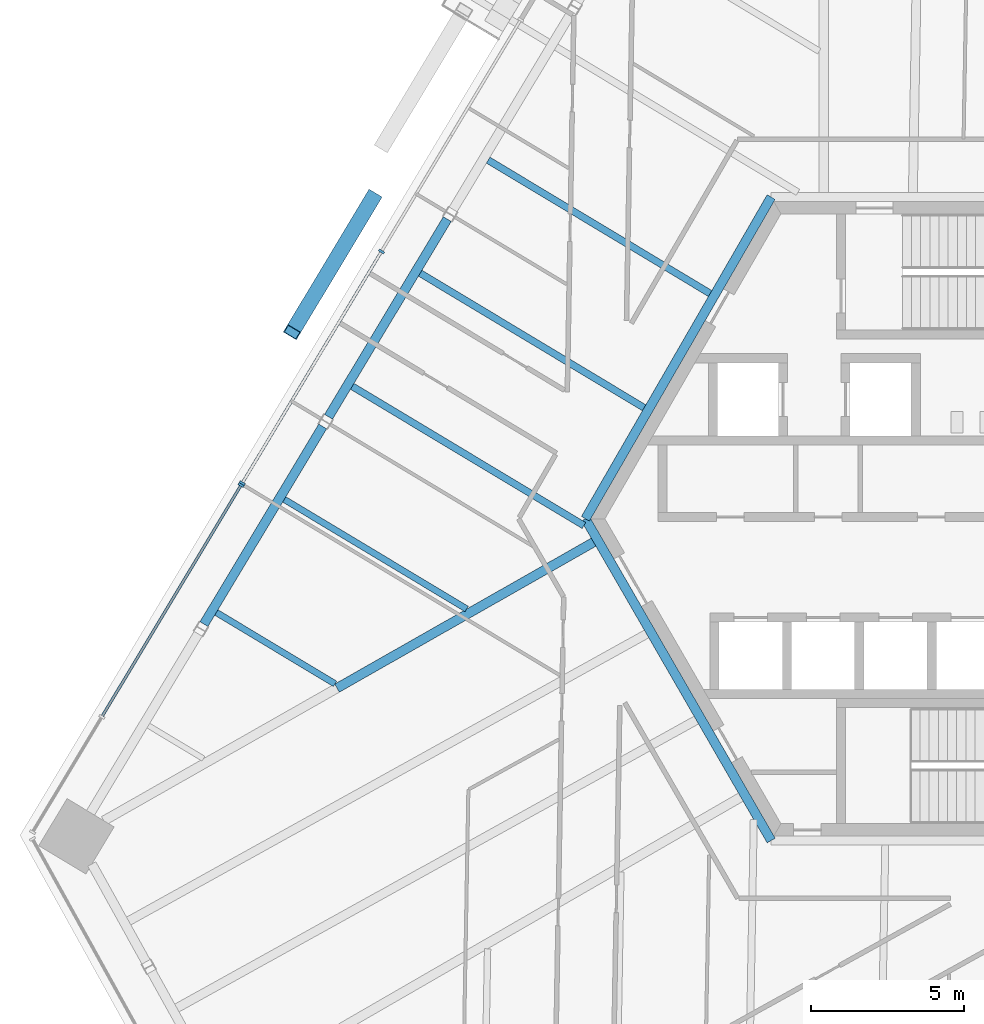
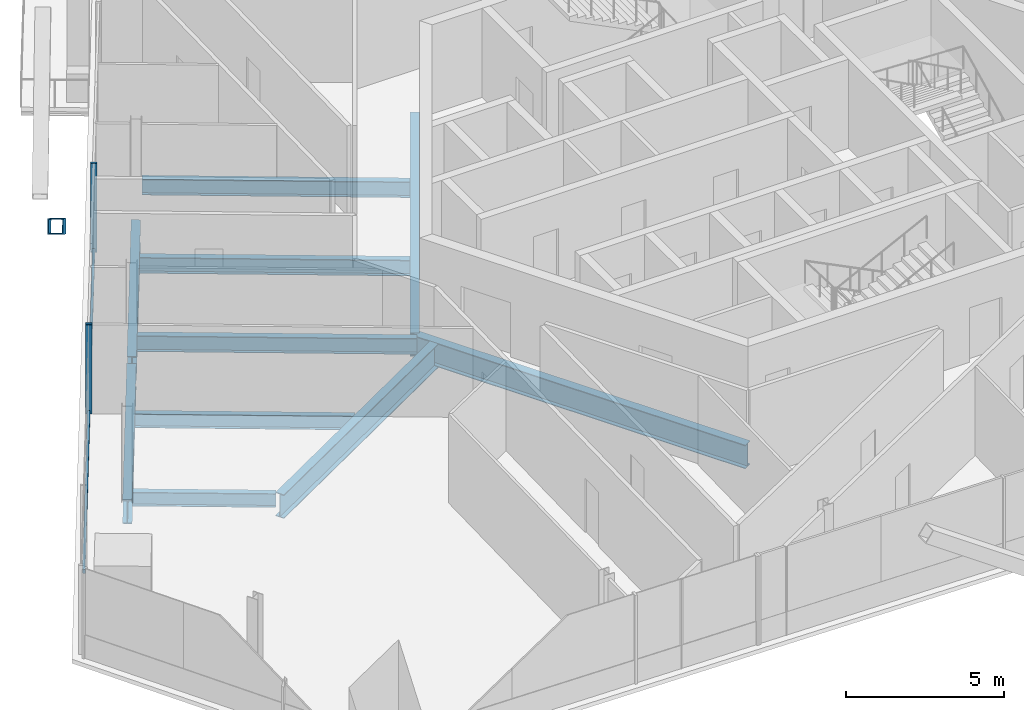
# One storey, part 5 of 18: 10 beams, 6 members, 2 elements without a shape of their own.
"""IFC4 building model written with IfcOpenShell, lengths in metres."""

import ifcopenshell
import ifcopenshell.guid

model = None  # the IFC model being written
_history = None  # IfcOwnerHistory: only IFC2X3 demands one
_inside = {}  # id of a spatial element -> (the spatial element, [elements in it])
_under = {}  # id of a project, library or spatial element -> (it, [spatial elements below it])
_declared = {}  # id of a project -> (the project, [libraries it declares])
_typed = {}  # id of a type object -> (the type object, [elements of that type])
_made_of = {}  # id of a material, layer set ... -> (it, [elements and type objects made of it])


def new_model(schema):
    """Start an empty IFC model of exactly this schema.

    Asked for "IFC4X3", IfcOpenShell would pick the latest addendum, in which some entities
    have other attributes; the version numbers below select the first issue.
    IFC2X3 requires an IfcOwnerHistory on every rooted entity: one is made here for all.
    """
    global model, _history
    if schema == "IFC4X3":
        model = ifcopenshell.file(schema_version=(4, 3, 0, 0))
    else:
        model = ifcopenshell.file(schema=schema)
    _inside.clear()
    _under.clear()
    _declared.clear()
    _typed.clear()
    _made_of.clear()
    _history = None
    if model.schema == "IFC2X3":
        org = make("IfcOrganization", Name="unknown")
        user = make(
            "IfcPersonAndOrganization",
            ThePerson=make("IfcPerson", FamilyName="unknown"),
            TheOrganization=org,
        )
        app = make(
            "IfcApplication",
            ApplicationDeveloper=org,
            Version="unknown",
            ApplicationFullName="unknown",
            ApplicationIdentifier="unknown",
        )
        _history = make(
            "IfcOwnerHistory",
            OwningUser=user,
            OwningApplication=app,
            ChangeAction="ADDED",
            CreationDate=0,
        )
    return model


def make(cls, **values):
    """One entity of the class cls with the attributes given. An attribute that is None is left unset."""
    return model.create_entity(
        cls, **{name: value for name, value in values.items() if value is not None}
    )


def rooted(cls, **values):
    """An entity with a GlobalId (a new one), such as an element, a storey or a relation."""
    return make(cls, GlobalId=ifcopenshell.guid.new(), OwnerHistory=_history, **values)


def si_unit(unit_type, name, prefix=None):
    """IfcSIUnit, for example si_unit("LENGTHUNIT", "METRE", prefix="MILLI")."""
    return make("IfcSIUnit", UnitType=unit_type, Prefix=prefix, Name=name)


def assignment(units):
    """IfcUnitAssignment: the units of a project."""
    return None if units is None else make("IfcUnitAssignment", Units=units)


def point(xyz):
    """IfcCartesianPoint."""
    return None if xyz is None else make("IfcCartesianPoint", Coordinates=xyz)


def direction(xyz):
    """IfcDirection."""
    return None if xyz is None else make("IfcDirection", DirectionRatios=xyz)


def frame(location, z_axis=None, x_axis=None):
    """IfcAxis2Placement3D, a coordinate frame: its origin and axes. An axis left out is left unset."""
    return make(
        "IfcAxis2Placement3D",
        Location=point(location),
        Axis=direction(z_axis),
        RefDirection=direction(x_axis),
    )


def frame_2d(location, x_axis=None):
    """IfcAxis2Placement2D, a coordinate frame in the plane: its origin and x axis."""
    return make(
        "IfcAxis2Placement2D", Location=point(location), RefDirection=direction(x_axis)
    )


def origin():
    """The frame at (0, 0, 0) with its axes left unset."""
    return frame((0.0, 0.0, 0.0))


def origin_2d():
    """The frame at (0, 0) in the plane with its x axis left unset."""
    return frame_2d((0.0, 0.0))


def place(relative_to, where):
    """IfcLocalPlacement: puts the frame where relative to a parent placement (None: the world)."""
    return make(
        "IfcLocalPlacement", PlacementRelTo=relative_to, RelativePlacement=where
    )


def context(
    kind, dimensions, precision=None, world=None, true_north=None, identifier=None
):
    """IfcGeometricRepresentationContext, for example the 3D "Model" context."""
    return make(
        "IfcGeometricRepresentationContext",
        ContextIdentifier=identifier,
        ContextType=kind,
        CoordinateSpaceDimension=dimensions,
        Precision=precision,
        WorldCoordinateSystem=world,
        TrueNorth=true_north,
    )


def subcontext(parent, identifier, kind, view, scale=None):
    """IfcGeometricRepresentationSubContext, for example "Body" below "Model"."""
    return make(
        "IfcGeometricRepresentationSubContext",
        ContextIdentifier=identifier,
        ContextType=kind,
        ParentContext=parent,
        TargetScale=scale,
        TargetView=view,
    )


def project(units=None, contexts=None):
    """IfcProject with its units and contexts."""
    return rooted(
        "IfcProject",
        Name="project",
        RepresentationContexts=contexts,
        UnitsInContext=assignment(units),
    )


def spatial(cls, under=None, at=None, **own):
    """A site, building, storey or space (cls), placed at a placement, below another one or the project."""
    s = rooted(cls, ObjectPlacement=at, **own)
    if under is not None:
        _under.setdefault(under.id(), (under, []))[1].append(s)
    return s


def profile(cls, at=None, kind="AREA", **sizes):
    """A parametric profile (cls). Its sizes go by their IFC names, for example OverallWidth=200.0."""
    return make(cls, ProfileType=kind, Position=at, **sizes)


def rectangle(**sizes):
    """IfcRectangleProfileDef."""
    return profile("IfcRectangleProfileDef", **sizes)


def hollow_rectangle(**sizes):
    """IfcRectangleHollowProfileDef."""
    return profile("IfcRectangleHollowProfileDef", **sizes)


def i_section(**sizes):
    """IfcIShapeProfileDef."""
    return profile("IfcIShapeProfileDef", **sizes)


def extrude(swept, where, along, depth):
    """IfcExtrudedAreaSolid: the profile swept, set in the frame where, extruded along a direction by depth."""
    return make(
        "IfcExtrudedAreaSolid",
        SweptArea=swept,
        Position=where,
        ExtrudedDirection=direction(along),
        Depth=depth,
    )


def shape(context_of_items, identifier, shape_type, items):
    """IfcShapeRepresentation: the items that make up one representation, for example the "Body"."""
    return make(
        "IfcShapeRepresentation",
        ContextOfItems=context_of_items,
        RepresentationIdentifier=identifier,
        RepresentationType=shape_type,
        Items=items,
    )


def source(mapping_origin, context_of_items, identifier, shape_type, items):
    """IfcRepresentationMap: a shape defined once, which mapped items show again and again."""
    return make(
        "IfcRepresentationMap",
        MappingOrigin=mapping_origin,
        MappedRepresentation=shape(context_of_items, identifier, shape_type, items),
    )


def transform(
    local_origin,
    x_axis=None,
    y_axis=None,
    z_axis=None,
    scale=None,
    scale2=None,
    scale3=None,
    uniform=True,
):
    """IfcCartesianTransformationOperator3D, or its non-uniform kind. x_axis, y_axis, z_axis: its Axis1, 2, 3."""
    if uniform:
        return make(
            "IfcCartesianTransformationOperator3D",
            Axis1=direction(x_axis),
            Axis2=direction(y_axis),
            LocalOrigin=point(local_origin),
            Scale=scale,
            Axis3=direction(z_axis),
        )
    return make(
        "IfcCartesianTransformationOperator3DnonUniform",
        Axis1=direction(x_axis),
        Axis2=direction(y_axis),
        LocalOrigin=point(local_origin),
        Scale=scale,
        Axis3=direction(z_axis),
        Scale2=scale2,
        Scale3=scale3,
    )


def mapped(mapping_source, mapping_target):
    """IfcMappedItem: shows the shape of a source again, moved by a transform."""
    return make(
        "IfcMappedItem", MappingSource=mapping_source, MappingTarget=mapping_target
    )


def material(Name=None, Category=None):
    """IfcMaterial."""
    return make("IfcMaterial", Name=Name, Category=Category)


def material_profile(
    of_material, cross_section, Name=None, Category=None, Priority=None
):
    """IfcMaterialProfile: a cross section and its material."""
    return make(
        "IfcMaterialProfile",
        Name=Name,
        Material=of_material,
        Profile=cross_section,
        Priority=Priority,
        Category=Category,
    )


def profile_set(profiles, Name=None, composite=None):
    """IfcMaterialProfileSet."""
    return make(
        "IfcMaterialProfileSet",
        Name=Name,
        MaterialProfiles=profiles,
        CompositeProfile=composite,
    )


def made_of(thing, what):
    """Note that an element or type object is made of a material, layer set ...; save() writes the relation."""
    if what is not None:
        _made_of.setdefault(what.id(), (what, []))[1].append(thing)
    return thing


def type_object(cls, material=None, **own):
    """A type object (cls), such as IfcWallType, which elements share."""
    return made_of(rooted(cls, **own), material)


def element(
    cls,
    number,
    at=None,
    inside=None,
    cuts=None,
    type_object=None,
    material=None,
    context=None,
    identifier="Body",
    shape_type=None,
    held_by="IfcProductDefinitionShape",
    body=None,
    shapes=None,
    **own,
):
    """One element of the class cls, such as IfcWall. Its Tag is "e" and its number.

    at: its placement. inside: the storey or other place that contains it. cuts: it is an
    opening in that element (IfcRelVoidsElement). A single representation is given by context,
    identifier, shape_type and body (its items); several are given by shapes. held_by: the class
    of the entity that holds the representations. save() writes the other relations.
    """
    e = rooted(cls, Tag="e%d" % number, ObjectPlacement=at, **own)
    if body is not None:
        shapes = [shape(context, identifier, shape_type, body)]
    if shapes is not None:
        e.Representation = make(held_by, Representations=shapes)
    if inside is not None:
        _inside.setdefault(inside.id(), (inside, []))[1].append(e)
    if cuts is not None:
        rooted(
            "IfcRelVoidsElement", RelatingBuildingElement=cuts, RelatedOpeningElement=e
        )
    if type_object is not None:
        _typed.setdefault(type_object.id(), (type_object, []))[1].append(e)
    return made_of(e, material)


def aggregate(whole, parts):
    """IfcRelAggregates: a whole, such as a stair, and the parts it consists of."""
    return rooted("IfcRelAggregates", RelatingObject=whole, RelatedObjects=parts)


def save(model, path):
    """Write the relations noted so far, then the file.

    IfcRelAggregates (storeys below a building ...), IfcRelContainedInSpatialStructure (elements
    in a storey), IfcRelDefinesByType, IfcRelAssociatesMaterial and IfcRelDeclares: one each for
    every whole, place, type object, material and project.
    """
    for whole, parts in _under.values():
        aggregate(whole, parts)
    for where, things in _inside.values():
        rooted(
            "IfcRelContainedInSpatialStructure",
            RelatedElements=things,
            RelatingStructure=where,
        )
    for kind, things in _typed.values():
        rooted("IfcRelDefinesByType", RelatedObjects=things, RelatingType=kind)
    for what, things in _made_of.values():
        rooted("IfcRelAssociatesMaterial", RelatedObjects=things, RelatingMaterial=what)
    for by, libraries in _declared.values():
        rooted("IfcRelDeclares", RelatingContext=by, RelatedDefinitions=libraries)
    model.write(path)


model = new_model("IFC4")

# Units and contexts
model_context = context("Model", 3, precision=1e-05, world=origin(), true_north=direction((0.0, 1.0)))
body_context = subcontext(model_context, "Body", "Model", "MODEL_VIEW")
ifc_project = project(units=[si_unit("LENGTHUNIT", "METRE"), si_unit("AREAUNIT", "SQUARE_METRE"), si_unit("VOLUMEUNIT", "CUBIC_METRE"), si_unit("PLANEANGLEUNIT", "RADIAN"), si_unit("MASSUNIT", "GRAM", prefix="KILO")], contexts=[model_context])

# Site, building, storey
site_placement = place(None, origin())
site = spatial("IfcSite", under=ifc_project, at=site_placement, CompositionType="ELEMENT")
building_placement = place(site_placement, origin())
building = spatial("IfcBuilding", under=site, at=building_placement, Name="Triune Harvest Tower", CompositionType="ELEMENT")
storey_placement = place(building_placement, frame((0.0, 0.0, 197.89990234375)))
storey = spatial("IfcBuildingStorey", under=building, at=storey_placement, Name="L51", CompositionType="ELEMENT", Elevation=197.89990234375)

# Beams
ifc_material_1 = material(Name="Steel ASTM A992 Gr 50", Category="steel")
ifc_material_profile_1 = material_profile(ifc_material_1, i_section(OverallWidth=0.3046875, OverallDepth=0.914306640625, WebThickness=0.0166015625, FlangeThickness=0.02587890625, at=origin_2d()), Name="W36x160")
ifc_profile_set_1 = profile_set([ifc_material_profile_1], Name="Steel ASTM A992 Gr 50")
beam_type_1 = type_object("IfcBeamType", Name="CG-1 Core ring girder W36x160", PredefinedType="BEAM", material=ifc_profile_set_1)
shared_shape_1 = source(origin(), body_context, "Body", "SweptSolid", [
    extrude(i_section(OverallWidth=0.3046875, OverallDepth=0.914306640625, WebThickness=0.0166015625, FlangeThickness=0.02587890625, at=origin_2d()), origin(), (0.0, 0.0, 1.0), 12.176025390625),
])
for number, where, z_axis, x_axis, name in (
    (1, (-6.087890625, 10.544677734375, -0.6171875), (-0.5000099932, -0.866019634131, 0.0), (0.866019634131, -0.5000099932, 0.0), "beam/L51/CG3"),
    (2, (-12.176025390625, 0.0, -0.6171875), (0.5000099932, -0.866019634131, 0.0), (0.866019634131, 0.5000099932, 0.0), "beam/L51/CG4"),
):
    element("IfcBeam", number, at=place(storey_placement, frame(where, z_axis=z_axis, x_axis=x_axis)), inside=storey, type_object=beam_type_1, Name=name, PredefinedType="BEAM", context=body_context, shape_type="MappedRepresentation", body=[
        mapped(shared_shape_1, transform((0.0, 0.0, 0.0), scale=1.0)),
    ])
ifc_material_2 = material(Name="Steel ASTM A992 Gr 50", Category="steel")
ifc_material_profile_2 = material_profile(ifc_material_2, i_section(OverallWidth=0.307373046875, OverallDepth=0.922119140625, WebThickness=0.018310546875, FlangeThickness=0.030029296875, at=origin_2d()), Name="W36x182")
ifc_profile_set_2 = profile_set([ifc_material_profile_2], Name="Steel ASTM A992 Gr 50")
beam_type_2 = type_object("IfcBeamType", Name="HG-2 Hip girder W36x182", PredefinedType="BEAM", material=ifc_profile_set_2)
shared_shape_2 = source(origin(), body_context, "Body", "SweptSolid", [
    extrude(i_section(OverallWidth=0.307373046875, OverallDepth=0.922119140625, WebThickness=0.018310546875, FlangeThickness=0.030029296875, at=origin_2d()), origin(), (0.0, 0.0, 1.0), 9.672119140625),
])
beam_1_placement = place(storey_placement, frame((-20.31591796875, -5.549560546875, -0.620849609375), z_axis=(0.869255664029, 0.494362812673, 0.0), x_axis=(-0.494362812673, 0.869255664029, 0.0)))
element("IfcBeam", 3, at=beam_1_placement, inside=storey, type_object=beam_type_2, Name="beam/L51/HG6", PredefinedType="BEAM", context=body_context, shape_type="MappedRepresentation", body=[
    mapped(shared_shape_2, transform((0.0, 0.0, 0.0), scale=1.0)),
])
ifc_material_3 = material(Name="Steel ASTM A992 Gr 50", Category="steel")
ifc_material_profile_3 = material_profile(ifc_material_3, i_section(OverallWidth=0.3046875, OverallDepth=0.914306640625, WebThickness=0.0166015625, FlangeThickness=0.02587890625, at=origin_2d()), Name="W36x160")
ifc_profile_set_3 = profile_set([ifc_material_profile_3], Name="Steel ASTM A992 Gr 50")
beam_type_3 = type_object("IfcBeamType", Name="SB-1 Spandrel beam W36x160", PredefinedType="SPANDREL", material=ifc_profile_set_3)
shared_shape_3 = source(origin(), body_context, "Body", "SweptSolid", [
    extrude(i_section(OverallWidth=0.3046875, OverallDepth=0.914306640625, WebThickness=0.0166015625, FlangeThickness=0.02587890625, at=origin_2d()), origin(), (0.0, 0.0, 1.0), 7.556396484375),
])
for number, where, z_axis, x_axis, name in (
    (4, (-16.702880859375, 9.81982421875, -0.6171875), (-0.515065795781, -0.857150643712, 0.0), (0.857150643712, -0.515065795781, 0.0), "beam/L51/SB12"),
    (5, (-20.785888671875, 3.02490234375, -0.6171875), (-0.51504205773, -0.85716490757, 0.0), (0.85716490757, -0.51504205773, 0.0), "beam/L51/SB13"),
):
    element("IfcBeam", number, at=place(storey_placement, frame(where, z_axis=z_axis, x_axis=x_axis)), inside=storey, type_object=beam_type_3, Name=name, PredefinedType="SPANDREL", context=body_context, shape_type="MappedRepresentation", body=[
        mapped(shared_shape_3, transform((0.0, 0.0, 0.0), scale=1.0)),
    ])
ifc_material_4 = material(Name="Steel ASTM A992 Gr 50", Category="steel")
ifc_material_profile_4 = material_profile(ifc_material_4, i_section(OverallWidth=0.22900390625, OverallDepth=0.612060546875, WebThickness=0.011962890625, FlangeThickness=0.01953125, at=origin_2d()), Name="W24x84")
ifc_profile_set_4 = profile_set([ifc_material_profile_4], Name="Steel ASTM A992 Gr 50")
beam_type_4 = type_object("IfcBeamType", Name="JT-3 Floor joist W24x84", PredefinedType="JOIST", material=ifc_profile_set_4)
shared_shape_4 = source(origin(), body_context, "Body", "SweptSolid", [
    extrude(i_section(OverallWidth=0.22900390625, OverallDepth=0.612060546875, WebThickness=0.011962890625, FlangeThickness=0.01953125, at=origin_2d()), origin(), (0.0, 0.0, 1.0), 8.85888671875),
])
beam_2_placement = place(storey_placement, frame((-19.8173828125, 4.3408203125, -0.466064453125), z_axis=(0.857174209269, -0.515026576948, 0.0), x_axis=(0.515026576948, 0.857174209269, 0.0)))
element("IfcBeam", 6, at=beam_2_placement, inside=storey, type_object=beam_type_4, Name="beam/L51/JT19", PredefinedType="JOIST", context=body_context, shape_type="MappedRepresentation", body=[
    mapped(shared_shape_4, transform((0.0, 0.0, 0.0), scale=1.0)),
])
ifc_material_5 = material(Name="Steel ASTM A992 Gr 50", Category="steel")
ifc_material_profile_5 = material_profile(ifc_material_5, i_section(OverallWidth=0.2099609375, OverallDepth=0.535888671875, WebThickness=0.010986328125, FlangeThickness=0.017333984375, at=origin_2d()), Name="W21x68")
ifc_profile_set_5 = profile_set([ifc_material_profile_5], Name="Steel ASTM A992 Gr 50")
beam_type_5 = type_object("IfcBeamType", Name="JT-2 Floor joist W21x68", PredefinedType="JOIST", material=ifc_profile_set_5)
shared_shape_5 = source(origin(), body_context, "Body", "SweptSolid", [
    extrude(i_section(OverallWidth=0.2099609375, OverallDepth=0.535888671875, WebThickness=0.010986328125, FlangeThickness=0.017333984375, at=origin_2d()), origin(), (0.0, 0.0, 1.0), 4.538818359375),
])
beam_3_placement = place(storey_placement, frame((-24.271484375, -3.072021484375, -0.427978515625), z_axis=(0.85717477652, -0.515025632855, 0.0), x_axis=(0.515025632855, 0.85717477652, 0.0)))
element("IfcBeam", 7, at=beam_3_placement, inside=storey, type_object=beam_type_5, Name="beam/L51/JT21", PredefinedType="JOIST", context=body_context, shape_type="MappedRepresentation", body=[
    mapped(shared_shape_5, transform((0.0, 0.0, 0.0), scale=1.0)),
])
shared_shape_6 = source(origin(), body_context, "Body", "SweptSolid", [
    extrude(i_section(OverallWidth=0.22900390625, OverallDepth=0.612060546875, WebThickness=0.011962890625, FlangeThickness=0.01953125, at=origin_2d()), origin(), (0.0, 0.0, 1.0), 8.48583984375),
])
beam_4_placement = place(storey_placement, frame((-15.36328125, 11.75341796875, -0.466064453125), z_axis=(0.857160193187, -0.515049903616, 0.0), x_axis=(0.515049903616, 0.857160193187, 0.0)))
element("IfcBeam", 8, at=beam_4_placement, inside=storey, type_object=beam_type_4, Name="beam/L51/JT17", PredefinedType="JOIST", context=body_context, shape_type="MappedRepresentation", body=[
    mapped(shared_shape_6, transform((0.0, 0.0, 0.0), scale=1.0)),
])
shared_shape_7 = source(origin(), body_context, "Body", "SweptSolid", [
    extrude(i_section(OverallWidth=0.22900390625, OverallDepth=0.612060546875, WebThickness=0.011962890625, FlangeThickness=0.01953125, at=origin_2d()), origin(), (0.0, 0.0, 1.0), 8.5615234375),
])
beam_5_placement = place(storey_placement, frame((-17.59033203125, 8.047119140625, -0.466064453125), z_axis=(0.857170691548, -0.515032431553, 0.0), x_axis=(0.515032431553, 0.857170691548, 0.0)))
element("IfcBeam", 9, at=beam_5_placement, inside=storey, type_object=beam_type_4, Name="beam/L51/JT18", PredefinedType="JOIST", context=body_context, shape_type="MappedRepresentation", body=[
    mapped(shared_shape_7, transform((0.0, 0.0, 0.0), scale=1.0)),
])
shared_shape_8 = source(origin(), body_context, "Body", "SweptSolid", [
    extrude(i_section(OverallWidth=0.2099609375, OverallDepth=0.535888671875, WebThickness=0.010986328125, FlangeThickness=0.017333984375, at=origin_2d()), origin(), (0.0, 0.0, 1.0), 6.972900390625),
])
beam_6_placement = place(storey_placement, frame((-22.04443359375, 0.634521484375, -0.427978515625), z_axis=(0.857162181364, -0.515046594823, 0.0), x_axis=(0.515046594823, 0.857162181364, 0.0)))
element("IfcBeam", 10, at=beam_6_placement, inside=storey, type_object=beam_type_5, Name="beam/L51/JT20", PredefinedType="JOIST", context=body_context, shape_type="MappedRepresentation", body=[
    mapped(shared_shape_8, transform((0.0, 0.0, 0.0), scale=1.0)),
])

# Member
ifc_material_6 = material(Name="Steel ASTM A572 Gr 50", Category="steel")
ifc_material_profile_6 = material_profile(ifc_material_6, hollow_rectangle(XDim=0.5, YDim=0.5, WallThickness=0.030029296875, at=origin_2d()), Name="Box 500x500x30")
ifc_profile_set_6 = profile_set([ifc_material_profile_6], Name="Steel ASTM A572 Gr 50")
member_type_1 = type_object("IfcMemberType", Name="BR-3 Brace Box 500x500x30", PredefinedType="BRACE", material=ifc_profile_set_6)
shared_shape_9 = source(origin(), body_context, "Body", "SweptSolid", [
    extrude(hollow_rectangle(XDim=0.5, YDim=0.5, WallThickness=0.030029296875, at=origin_2d()), origin(), (0.0, 0.0, 1.0), 6.302734375),
])
member_1_placement = place(storey_placement, frame((-19.125244140625, 10.549560546875, 0.0), z_axis=(-0.422753164689, -0.703581499304, 0.571185465136), x_axis=(0.857167973286, -0.515036955541, 0.0)))
element("IfcMember", 11, at=member_1_placement, inside=storey, type_object=member_type_1, Name="brace/B5-F3/d1/6", PredefinedType="BRACE", context=body_context, shape_type="MappedRepresentation", body=[
    mapped(shared_shape_9, transform((0.0, 0.0, 0.0), scale=1.0)),
])

# Curtain wall, members
ifc_material_7 = material(Name="Aluminium bronze anodised", Category="aluminium")
curtain_wall_type_1 = type_object("IfcCurtainWallType", Name="CW-10 Balcony window wall with insulated spandrel infill", PredefinedType="NOTDEFINED", material=ifc_material_7)
curtain_wall_1_placement = place(storey_placement, origin())
curtain_wall_1 = element("IfcCurtainWall", 12, at=curtain_wall_1_placement, inside=storey, type_object=curtain_wall_type_1, Name="CW-10 B5-F3 L51 run 2")
ifc_material_8 = material(Name="Aluminium bronze anodised", Category="aluminium")
ifc_material_profile_7 = material_profile(ifc_material_8, rectangle(XDim=0.199951171875, YDim=0.074951171875, at=origin_2d()), Name="MU-6 mullion 75 x 200")
ifc_profile_set_7 = profile_set([ifc_material_profile_7], Name="Aluminium bronze anodised")
member_type_2 = type_object("IfcMemberType", Name="MU-6 mullion 75 x 200", PredefinedType="MULLION", material=ifc_profile_set_7)
shared_shape_10 = source(origin(), body_context, "Body", "SweptSolid", [
    extrude(rectangle(XDim=0.199951171875, YDim=0.074951171875, at=origin_2d()), origin(), (0.0, 0.0, 1.0), 3.440185546875),
])
member_2_placement = place(storey_placement, frame((-18.859130859375, 8.759765625, 0.0), z_axis=(0.0, 0.0, 1.0), x_axis=(0.857167092928, -0.515038420705, 0.0)))
member_2 = element("IfcMember", 13, at=member_2_placement, type_object=member_type_2, Name="CW-10 mullion B5-F3 2.3", PredefinedType="MULLION", context=body_context, shape_type="MappedRepresentation", body=[
    mapped(shared_shape_10, transform((0.0, 0.0, 0.0), scale=1.0)),
])
member_3_placement = place(storey_placement, frame((-23.42138671875, 1.1669921875, 0.0), z_axis=(0.0, 0.0, 1.0), x_axis=(0.857167092928, -0.515038420705, 0.0)))
member_3 = element("IfcMember", 14, at=member_3_placement, type_object=member_type_2, Name="CW-10 mullion B5-F3 2.5", PredefinedType="MULLION", context=body_context, shape_type="MappedRepresentation", body=[
    mapped(shared_shape_10, transform((0.0, 0.0, 0.0), scale=1.0)),
])

# Curtain wall, member
ifc_material_9 = material(Name="Aluminium bronze anodised", Category="aluminium")
curtain_wall_type_2 = type_object("IfcCurtainWallType", Name="CW-6 Balcony window wall", PredefinedType="NOTDEFINED", material=ifc_material_9)
curtain_wall_2_placement = place(storey_placement, origin())
curtain_wall_2 = element("IfcCurtainWall", 15, at=curtain_wall_2_placement, inside=storey, type_object=curtain_wall_type_2, Name="CW-6 B5-F3 L51 run 1002")
member_4_placement = place(storey_placement, frame((-23.4599609375, 1.1025390625, 0.0), z_axis=(0.0, 0.0, 1.0), x_axis=(0.857169600396, -0.515034247558, 0.0)))
member_4 = element("IfcMember", 16, at=member_4_placement, type_object=member_type_2, Name="CW-6 mullion B5-F3 1002.1", PredefinedType="MULLION", context=body_context, shape_type="MappedRepresentation", body=[
    mapped(shared_shape_10, transform((0.0, 0.0, 0.0), scale=1.0)),
])

# Member
ifc_material_10 = material(Name="Aluminium bronze anodised", Category="aluminium")
ifc_material_profile_8 = material_profile(ifc_material_10, rectangle(XDim=0.090087890625, YDim=0.14990234375, at=origin_2d()), Name="TR-6 transom 90 x 150")
ifc_profile_set_8 = profile_set([ifc_material_profile_8], Name="Aluminium bronze anodised")
member_type_3 = type_object("IfcMemberType", Name="TR-6 transom 90 x 150", PredefinedType="USERDEFINED", material=ifc_profile_set_8)
shared_shape_11 = source(origin(), body_context, "Body", "SweptSolid", [
    extrude(rectangle(XDim=0.090087890625, YDim=0.14990234375, at=origin_2d()), origin(), (0.0, 0.0, 1.0), 8.783203125),
])
member_5_placement = place(storey_placement, frame((-18.87841796875, 8.7275390625, 0.0751953125), z_axis=(-0.515043407206, -0.857164096713, 0.0), x_axis=(0.857164096713, -0.515043407206, 0.0)))
member_5 = element("IfcMember", 17, at=member_5_placement, type_object=member_type_3, Name="CW-10 transom B5-F3 2.2", ObjectType="TRANSOM", PredefinedType="USERDEFINED", context=body_context, shape_type="MappedRepresentation", body=[
    mapped(shared_shape_11, transform((0.0, 0.0, 0.0), scale=1.0)),
])

aggregate(curtain_wall_1, [member_2, member_3, member_5])

member_6_placement = place(storey_placement, frame((-23.479248046875, 1.070556640625, 0.0751953125), z_axis=(-0.515043407206, -0.857164096713, 0.0), x_axis=(0.857164096713, -0.515043407206, 0.0)))
member_6 = element("IfcMember", 18, at=member_6_placement, type_object=member_type_3, Name="CW-6 transom B5-F3 1002.1", ObjectType="TRANSOM", PredefinedType="USERDEFINED", context=body_context, shape_type="MappedRepresentation", body=[
    mapped(shared_shape_11, transform((0.0, 0.0, 0.0), scale=1.0)),
])

aggregate(curtain_wall_2, [member_4, member_6])

save(model, "model.ifc")
